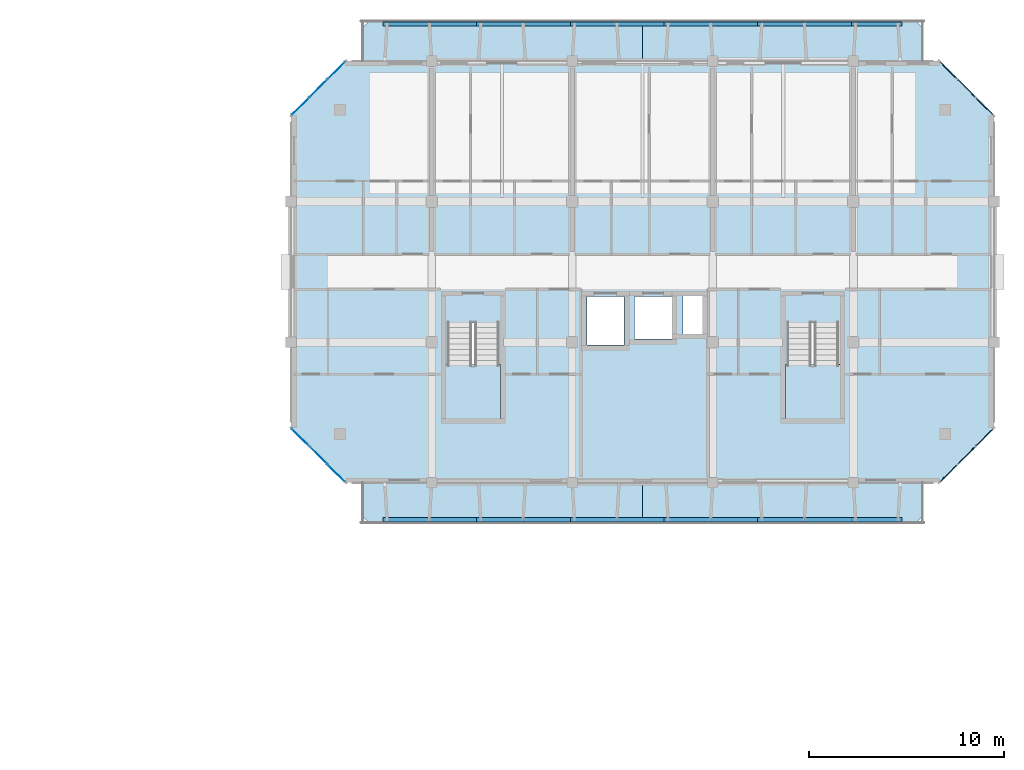
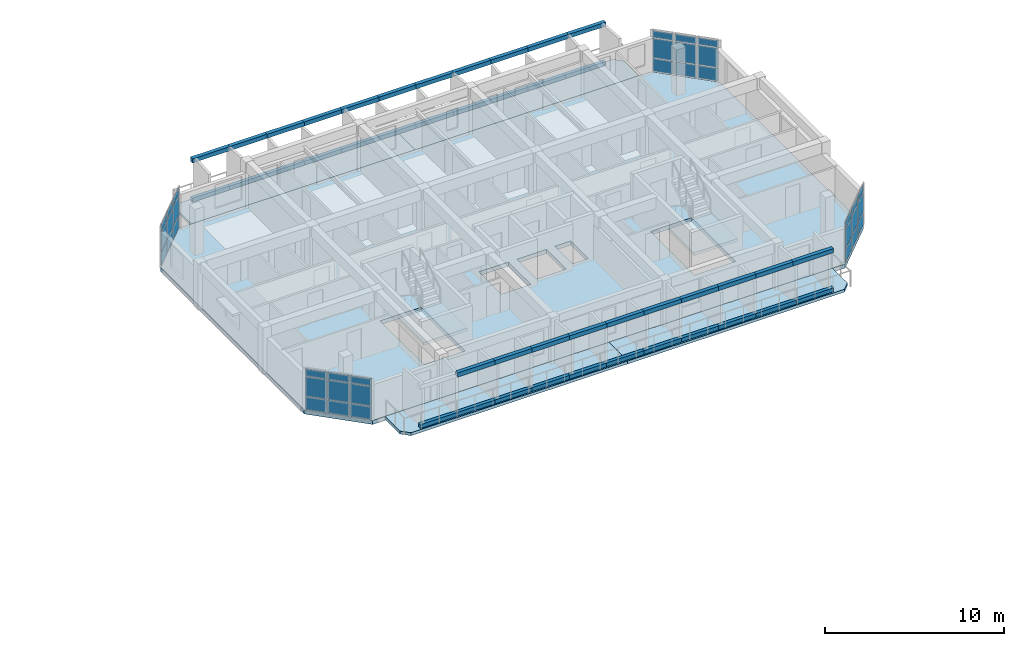
# One storey, part 13 of 43: 79 plates, 7 slabs, 6 elements without a shape of their own.
"""IFC4 building model written with IfcOpenShell, lengths in metres."""

from ifc_helpers import new_model, si_unit, direction, frame, origin, origin_2d, place, context, subcontext, project, spatial, polyline, rectangle, outline, extrude, material, layer, layer_set, type_object, element, aggregate, save


model = new_model("IFC4")

# Units and contexts
model_context = context("Model", 3, precision=1e-05, world=origin(), true_north=direction((0.0, 1.0)))
body_context = subcontext(model_context, "Body", "Model", "MODEL_VIEW")
ifc_project = project(units=[si_unit("LENGTHUNIT", "METRE"), si_unit("AREAUNIT", "SQUARE_METRE"), si_unit("VOLUMEUNIT", "CUBIC_METRE"), si_unit("PLANEANGLEUNIT", "RADIAN"), si_unit("MASSUNIT", "GRAM", prefix="KILO")], contexts=[model_context])

# Site, building, storey
site_placement = place(None, origin())
site = spatial("IfcSite", under=ifc_project, at=site_placement, CompositionType="ELEMENT")
building_placement = place(site_placement, origin())
building = spatial("IfcBuilding", under=site, at=building_placement, Name="Ochrevale Crest", CompositionType="ELEMENT")
storey_placement = place(building_placement, frame((0.0, 0.0, 15.0)))
storey = spatial("IfcBuildingStorey", under=building, at=storey_placement, Name="L04", CompositionType="ELEMENT", Elevation=15.0)

# Curtain wall, plates
ifc_material_1 = material(Name="Anodised aluminium 6063-T5", Category="aluminium")
ifc_layer_1 = layer(ifc_material_1, 0.14990234375)
ifc_layer_set_1 = layer_set([ifc_layer_1], Name="Anodised aluminium 6063-T5")
curtain_wall_type_1 = type_object("IfcCurtainWallType", Name="CW-WG-240x285", PredefinedType="NOTDEFINED", material=ifc_layer_set_1)
curtain_wall_1_placement = place(storey_placement, origin())
curtain_wall_1 = element("IfcCurtainWall", 1, at=curtain_wall_1_placement, inside=storey, type_object=curtain_wall_type_1, Name="Block D L04 chamfered corner wintergarden curtain wall 6", PredefinedType="NOTDEFINED")
ifc_material_2 = material(Name="Double-glazed low-E insulated glass unit", Category="glass")
ifc_layer_2 = layer(ifc_material_2, 0.028076171875)
ifc_layer_set_2 = layer_set([ifc_layer_2], Name="Double-glazed low-E insulated glass unit")
plate_type_1 = type_object("IfcPlateType", Name="CW-PNL-IGU28", PredefinedType="CURTAIN_PANEL", material=ifc_layer_set_2)
plate_1_placement = place(storey_placement, frame((131.920166015625, 93.1201171875, 0.06005859375), z_axis=(0.0, 0.0, 1.0), x_axis=(-0.707106781187, -0.707106781187, 0.0)))
plate_1 = element("IfcPlate", 2, at=plate_1_placement, type_object=plate_type_1, Name="CW15 panel 1.1", PredefinedType="CURTAIN_PANEL", context=body_context, shape_type="SweptSolid", body=[
    extrude(rectangle(XDim=1.20751953125, YDim=0.028076171875, at=origin_2d()), origin(), (0.0, 0.0, 1.0), 0.860107421875),
])
plate_2_placement = place(storey_placement, frame((131.920166015625, 93.1201171875, 0.97998046875), z_axis=(0.0, 0.0, 1.0), x_axis=(-0.707106781187, -0.707106781187, 0.0)))
plate_2 = element("IfcPlate", 3, at=plate_2_placement, type_object=plate_type_1, Name="CW15 panel 1.2", PredefinedType="CURTAIN_PANEL", context=body_context, shape_type="SweptSolid", body=[
    extrude(rectangle(XDim=1.20751953125, YDim=0.028076171875, at=origin_2d()), origin(), (0.0, 0.0, 1.0), 1.31494140625),
])
plate_3_placement = place(storey_placement, frame((131.920166015625, 93.1201171875, 2.35498046875), z_axis=(0.0, 0.0, 1.0), x_axis=(-0.707106781187, -0.707106781187, 0.0)))
plate_3 = element("IfcPlate", 4, at=plate_3_placement, type_object=plate_type_1, Name="CW15 panel 1.3", PredefinedType="CURTAIN_PANEL", context=body_context, shape_type="SweptSolid", body=[
    extrude(rectangle(XDim=1.20751953125, YDim=0.028076171875, at=origin_2d()), origin(), (0.0, 0.0, 1.0), 0.4599609375),
])
plate_4_placement = place(storey_placement, frame((131.0, 92.199951171875, 0.06005859375), z_axis=(0.0, 0.0, 1.0), x_axis=(-0.707106781187, -0.707106781187, 0.0)))
plate_4 = element("IfcPlate", 5, at=plate_4_placement, type_object=plate_type_1, Name="CW15 panel 2.1", PredefinedType="CURTAIN_PANEL", context=body_context, shape_type="SweptSolid", body=[
    extrude(rectangle(XDim=1.244873046875, YDim=0.028076171875, at=origin_2d()), origin(), (0.0, 0.0, 1.0), 0.860107421875),
])
plate_5_placement = place(storey_placement, frame((131.0, 92.199951171875, 0.97998046875), z_axis=(0.0, 0.0, 1.0), x_axis=(-0.707106781187, -0.707106781187, 0.0)))
plate_5 = element("IfcPlate", 6, at=plate_5_placement, type_object=plate_type_1, Name="CW15 panel 2.2", PredefinedType="CURTAIN_PANEL", context=body_context, shape_type="SweptSolid", body=[
    extrude(rectangle(XDim=1.244873046875, YDim=0.028076171875, at=origin_2d()), origin(), (0.0, 0.0, 1.0), 1.31494140625),
])
plate_6_placement = place(storey_placement, frame((131.0, 92.199951171875, 2.35498046875), z_axis=(0.0, 0.0, 1.0), x_axis=(-0.707106781187, -0.707106781187, 0.0)))
plate_6 = element("IfcPlate", 7, at=plate_6_placement, type_object=plate_type_1, Name="CW15 panel 2.3", PredefinedType="CURTAIN_PANEL", context=body_context, shape_type="SweptSolid", body=[
    extrude(rectangle(XDim=1.244873046875, YDim=0.028076171875, at=origin_2d()), origin(), (0.0, 0.0, 1.0), 0.4599609375),
])
plate_7_placement = place(storey_placement, frame((130.079833984375, 91.280029296875, 0.06005859375), z_axis=(0.0, 0.0, 1.0), x_axis=(-0.707106781187, -0.707106781187, 0.0)))
plate_7 = element("IfcPlate", 8, at=plate_7_placement, type_object=plate_type_1, Name="CW15 panel 3.1", PredefinedType="CURTAIN_PANEL", context=body_context, shape_type="SweptSolid", body=[
    extrude(rectangle(XDim=1.20751953125, YDim=0.028076171875, at=origin_2d()), origin(), (0.0, 0.0, 1.0), 0.860107421875),
])
plate_8_placement = place(storey_placement, frame((130.079833984375, 91.280029296875, 0.97998046875), z_axis=(0.0, 0.0, 1.0), x_axis=(-0.707106781187, -0.707106781187, 0.0)))
plate_8 = element("IfcPlate", 9, at=plate_8_placement, type_object=plate_type_1, Name="CW15 panel 3.2", PredefinedType="CURTAIN_PANEL", context=body_context, shape_type="SweptSolid", body=[
    extrude(rectangle(XDim=1.20751953125, YDim=0.028076171875, at=origin_2d()), origin(), (0.0, 0.0, 1.0), 1.31494140625),
])
plate_9_placement = place(storey_placement, frame((130.079833984375, 91.280029296875, 2.35498046875), z_axis=(0.0, 0.0, 1.0), x_axis=(-0.707106781187, -0.707106781187, 0.0)))
plate_9 = element("IfcPlate", 10, at=plate_9_placement, type_object=plate_type_1, Name="CW15 panel 3.3", PredefinedType="CURTAIN_PANEL", context=body_context, shape_type="SweptSolid", body=[
    extrude(rectangle(XDim=1.20751953125, YDim=0.028076171875, at=origin_2d()), origin(), (0.0, 0.0, 1.0), 0.4599609375),
])
aggregate(curtain_wall_1, [plate_1, plate_2, plate_3, plate_4, plate_5, plate_6, plate_7, plate_8, plate_9])

ifc_layer_3 = layer(ifc_material_1, 0.14990234375)
ifc_layer_set_3 = layer_set([ifc_layer_3], Name="Anodised aluminium 6063-T5")
curtain_wall_type_2 = type_object("IfcCurtainWallType", Name="CW-WG-320x285", PredefinedType="NOTDEFINED", material=ifc_layer_set_3)
curtain_wall_2_placement = place(storey_placement, origin())
curtain_wall_2 = element("IfcCurtainWall", 11, at=curtain_wall_2_placement, inside=storey, type_object=curtain_wall_type_2, Name="Block D L04 chamfered corner wintergarden curtain wall 8", PredefinedType="NOTDEFINED")
plate_10_placement = place(storey_placement, frame((130.079833984375, 74.320068359375, 0.06005859375), z_axis=(0.0, 0.0, 1.0), x_axis=(0.707106781187, -0.707106781187, 0.0)))
plate_10 = element("IfcPlate", 12, at=plate_10_placement, type_object=plate_type_1, Name="CW17 panel 1.1", PredefinedType="CURTAIN_PANEL", context=body_context, shape_type="SweptSolid", body=[
    extrude(rectangle(XDim=1.20751953125, YDim=0.028076171875, at=origin_2d()), origin(), (0.0, 0.0, 1.0), 0.860107421875),
])
plate_11_placement = place(storey_placement, frame((130.079833984375, 74.320068359375, 0.97998046875), z_axis=(0.0, 0.0, 1.0), x_axis=(0.707106781187, -0.707106781187, 0.0)))
plate_11 = element("IfcPlate", 13, at=plate_11_placement, type_object=plate_type_1, Name="CW17 panel 1.2", PredefinedType="CURTAIN_PANEL", context=body_context, shape_type="SweptSolid", body=[
    extrude(rectangle(XDim=1.20751953125, YDim=0.028076171875, at=origin_2d()), origin(), (0.0, 0.0, 1.0), 1.31494140625),
])
plate_12_placement = place(storey_placement, frame((130.079833984375, 74.320068359375, 2.35498046875), z_axis=(0.0, 0.0, 1.0), x_axis=(0.707106781187, -0.707106781187, 0.0)))
plate_12 = element("IfcPlate", 14, at=plate_12_placement, type_object=plate_type_1, Name="CW17 panel 1.3", PredefinedType="CURTAIN_PANEL", context=body_context, shape_type="SweptSolid", body=[
    extrude(rectangle(XDim=1.20751953125, YDim=0.028076171875, at=origin_2d()), origin(), (0.0, 0.0, 1.0), 0.4599609375),
])
plate_13_placement = place(storey_placement, frame((131.0, 73.39990234375, 0.06005859375), z_axis=(0.0, 0.0, 1.0), x_axis=(0.707106781187, -0.707106781187, 0.0)))
plate_13 = element("IfcPlate", 15, at=plate_13_placement, type_object=plate_type_1, Name="CW17 panel 2.1", PredefinedType="CURTAIN_PANEL", context=body_context, shape_type="SweptSolid", body=[
    extrude(rectangle(XDim=1.244873046875, YDim=0.028076171875, at=origin_2d()), origin(), (0.0, 0.0, 1.0), 0.860107421875),
])
plate_14_placement = place(storey_placement, frame((131.0, 73.39990234375, 0.97998046875), z_axis=(0.0, 0.0, 1.0), x_axis=(0.707106781187, -0.707106781187, 0.0)))
plate_14 = element("IfcPlate", 16, at=plate_14_placement, type_object=plate_type_1, Name="CW17 panel 2.2", PredefinedType="CURTAIN_PANEL", context=body_context, shape_type="SweptSolid", body=[
    extrude(rectangle(XDim=1.244873046875, YDim=0.028076171875, at=origin_2d()), origin(), (0.0, 0.0, 1.0), 1.31494140625),
])
plate_15_placement = place(storey_placement, frame((131.0, 73.39990234375, 2.35498046875), z_axis=(0.0, 0.0, 1.0), x_axis=(0.707106781187, -0.707106781187, 0.0)))
plate_15 = element("IfcPlate", 17, at=plate_15_placement, type_object=plate_type_1, Name="CW17 panel 2.3", PredefinedType="CURTAIN_PANEL", context=body_context, shape_type="SweptSolid", body=[
    extrude(rectangle(XDim=1.244873046875, YDim=0.028076171875, at=origin_2d()), origin(), (0.0, 0.0, 1.0), 0.4599609375),
])
plate_16_placement = place(storey_placement, frame((131.920166015625, 72.47998046875, 0.06005859375), z_axis=(0.0, 0.0, 1.0), x_axis=(0.707106781187, -0.707106781187, 0.0)))
plate_16 = element("IfcPlate", 18, at=plate_16_placement, type_object=plate_type_1, Name="CW17 panel 3.1", PredefinedType="CURTAIN_PANEL", context=body_context, shape_type="SweptSolid", body=[
    extrude(rectangle(XDim=1.20751953125, YDim=0.028076171875, at=origin_2d()), origin(), (0.0, 0.0, 1.0), 0.860107421875),
])
plate_17_placement = place(storey_placement, frame((131.920166015625, 72.47998046875, 0.97998046875), z_axis=(0.0, 0.0, 1.0), x_axis=(0.707106781187, -0.707106781187, 0.0)))
plate_17 = element("IfcPlate", 19, at=plate_17_placement, type_object=plate_type_1, Name="CW17 panel 3.2", PredefinedType="CURTAIN_PANEL", context=body_context, shape_type="SweptSolid", body=[
    extrude(rectangle(XDim=1.20751953125, YDim=0.028076171875, at=origin_2d()), origin(), (0.0, 0.0, 1.0), 1.31494140625),
])
plate_18_placement = place(storey_placement, frame((131.920166015625, 72.47998046875, 2.35498046875), z_axis=(0.0, 0.0, 1.0), x_axis=(0.707106781187, -0.707106781187, 0.0)))
plate_18 = element("IfcPlate", 20, at=plate_18_placement, type_object=plate_type_1, Name="CW17 panel 3.3", PredefinedType="CURTAIN_PANEL", context=body_context, shape_type="SweptSolid", body=[
    extrude(rectangle(XDim=1.20751953125, YDim=0.028076171875, at=origin_2d()), origin(), (0.0, 0.0, 1.0), 0.4599609375),
])
aggregate(curtain_wall_2, [plate_10, plate_11, plate_12, plate_13, plate_14, plate_15, plate_16, plate_17, plate_18])

ifc_layer_4 = layer(ifc_material_1, 0.14990234375)
ifc_layer_set_4 = layer_set([ifc_layer_4], Name="Anodised aluminium 6063-T5")
curtain_wall_type_3 = type_object("IfcCurtainWallType", Name="CW-WG-280x285", PredefinedType="NOTDEFINED", material=ifc_layer_set_4)
curtain_wall_3_placement = place(storey_placement, origin())
curtain_wall_3 = element("IfcCurtainWall", 21, at=curtain_wall_3_placement, inside=storey, type_object=curtain_wall_type_3, Name="Block D L04 chamfered corner wintergarden curtain wall 2", PredefinedType="NOTDEFINED")
ifc_material_3 = material(Name="Acoustic laminated low-E insulated glass unit", Category="glass")
ifc_layer_5 = layer(ifc_material_3, 0.0380859375)
ifc_layer_set_5 = layer_set([ifc_layer_5], Name="Acoustic laminated low-E insulated glass unit")
plate_type_2 = type_object("IfcPlateType", Name="CW-PNL-IGU38", PredefinedType="CURTAIN_PANEL", material=ifc_layer_set_5)
plate_19_placement = place(storey_placement, frame((163.280029296875, 72.47998046875, 0.06005859375), z_axis=(0.0, 0.0, 1.0), x_axis=(0.707106781187, 0.707106781187, 0.0)))
plate_19 = element("IfcPlate", 22, at=plate_19_placement, type_object=plate_type_2, Name="CW16 panel 1.1", PredefinedType="CURTAIN_PANEL", context=body_context, shape_type="SweptSolid", body=[
    extrude(rectangle(XDim=1.20751953125, YDim=0.0380859375, at=origin_2d()), origin(), (0.0, 0.0, 1.0), 0.860107421875),
])
plate_20_placement = place(storey_placement, frame((163.280029296875, 72.47998046875, 0.97998046875), z_axis=(0.0, 0.0, 1.0), x_axis=(0.707106781187, 0.707106781187, 0.0)))
plate_20 = element("IfcPlate", 23, at=plate_20_placement, type_object=plate_type_2, Name="CW16 panel 1.2", PredefinedType="CURTAIN_PANEL", context=body_context, shape_type="SweptSolid", body=[
    extrude(rectangle(XDim=1.20751953125, YDim=0.0380859375, at=origin_2d()), origin(), (0.0, 0.0, 1.0), 1.31494140625),
])
plate_21_placement = place(storey_placement, frame((163.280029296875, 72.47998046875, 2.35498046875), z_axis=(0.0, 0.0, 1.0), x_axis=(0.707106781187, 0.707106781187, 0.0)))
plate_21 = element("IfcPlate", 24, at=plate_21_placement, type_object=plate_type_2, Name="CW16 panel 1.3", PredefinedType="CURTAIN_PANEL", context=body_context, shape_type="SweptSolid", body=[
    extrude(rectangle(XDim=1.20751953125, YDim=0.0380859375, at=origin_2d()), origin(), (0.0, 0.0, 1.0), 0.4599609375),
])
plate_22_placement = place(storey_placement, frame((164.199951171875, 73.39990234375, 0.06005859375), z_axis=(0.0, 0.0, 1.0), x_axis=(0.707106781187, 0.707106781187, 0.0)))
plate_22 = element("IfcPlate", 25, at=plate_22_placement, type_object=plate_type_2, Name="CW16 panel 2.1", PredefinedType="CURTAIN_PANEL", context=body_context, shape_type="SweptSolid", body=[
    extrude(rectangle(XDim=1.244873046875, YDim=0.0380859375, at=origin_2d()), origin(), (0.0, 0.0, 1.0), 0.860107421875),
])
plate_23_placement = place(storey_placement, frame((164.199951171875, 73.39990234375, 0.97998046875), z_axis=(0.0, 0.0, 1.0), x_axis=(0.707106781187, 0.707106781187, 0.0)))
plate_23 = element("IfcPlate", 26, at=plate_23_placement, type_object=plate_type_2, Name="CW16 panel 2.2", PredefinedType="CURTAIN_PANEL", context=body_context, shape_type="SweptSolid", body=[
    extrude(rectangle(XDim=1.244873046875, YDim=0.0380859375, at=origin_2d()), origin(), (0.0, 0.0, 1.0), 1.31494140625),
])
plate_24_placement = place(storey_placement, frame((164.199951171875, 73.39990234375, 2.35498046875), z_axis=(0.0, 0.0, 1.0), x_axis=(0.707106781187, 0.707106781187, 0.0)))
plate_24 = element("IfcPlate", 27, at=plate_24_placement, type_object=plate_type_2, Name="CW16 panel 2.3", PredefinedType="CURTAIN_PANEL", context=body_context, shape_type="SweptSolid", body=[
    extrude(rectangle(XDim=1.244873046875, YDim=0.0380859375, at=origin_2d()), origin(), (0.0, 0.0, 1.0), 0.4599609375),
])
plate_25_placement = place(storey_placement, frame((165.1201171875, 74.320068359375, 0.06005859375), z_axis=(0.0, 0.0, 1.0), x_axis=(0.707106781187, 0.707106781187, 0.0)))
plate_25 = element("IfcPlate", 28, at=plate_25_placement, type_object=plate_type_2, Name="CW16 panel 3.1", PredefinedType="CURTAIN_PANEL", context=body_context, shape_type="SweptSolid", body=[
    extrude(rectangle(XDim=1.20751953125, YDim=0.0380859375, at=origin_2d()), origin(), (0.0, 0.0, 1.0), 0.860107421875),
])
plate_26_placement = place(storey_placement, frame((165.1201171875, 74.320068359375, 0.97998046875), z_axis=(0.0, 0.0, 1.0), x_axis=(0.707106781187, 0.707106781187, 0.0)))
plate_26 = element("IfcPlate", 29, at=plate_26_placement, type_object=plate_type_2, Name="CW16 panel 3.2", PredefinedType="CURTAIN_PANEL", context=body_context, shape_type="SweptSolid", body=[
    extrude(rectangle(XDim=1.20751953125, YDim=0.0380859375, at=origin_2d()), origin(), (0.0, 0.0, 1.0), 1.31494140625),
])
plate_27_placement = place(storey_placement, frame((165.1201171875, 74.320068359375, 2.35498046875), z_axis=(0.0, 0.0, 1.0), x_axis=(0.707106781187, 0.707106781187, 0.0)))
plate_27 = element("IfcPlate", 30, at=plate_27_placement, type_object=plate_type_2, Name="CW16 panel 3.3", PredefinedType="CURTAIN_PANEL", context=body_context, shape_type="SweptSolid", body=[
    extrude(rectangle(XDim=1.20751953125, YDim=0.0380859375, at=origin_2d()), origin(), (0.0, 0.0, 1.0), 0.4599609375),
])
aggregate(curtain_wall_3, [plate_19, plate_20, plate_21, plate_22, plate_23, plate_24, plate_25, plate_26, plate_27])

ifc_layer_6 = layer(ifc_material_1, 0.14990234375)
ifc_layer_set_6 = layer_set([ifc_layer_6], Name="Anodised aluminium 6063-T5")
curtain_wall_type_4 = type_object("IfcCurtainWallType", Name="CW-WG-360x285", PredefinedType="NOTDEFINED", material=ifc_layer_set_6)
curtain_wall_4_placement = place(storey_placement, origin())
curtain_wall_4 = element("IfcCurtainWall", 31, at=curtain_wall_4_placement, inside=storey, type_object=curtain_wall_type_4, Name="Block D L04 chamfered corner wintergarden curtain wall 4", PredefinedType="NOTDEFINED")
plate_28_placement = place(storey_placement, frame((165.1201171875, 91.280029296875, 0.06005859375), z_axis=(0.0, 0.0, 1.0), x_axis=(-0.707106781187, 0.707106781187, 0.0)))
plate_28 = element("IfcPlate", 32, at=plate_28_placement, type_object=plate_type_2, Name="CW18 panel 1.1", PredefinedType="CURTAIN_PANEL", context=body_context, shape_type="SweptSolid", body=[
    extrude(rectangle(XDim=1.20751953125, YDim=0.0380859375, at=origin_2d()), origin(), (0.0, 0.0, 1.0), 0.860107421875),
])
plate_29_placement = place(storey_placement, frame((165.1201171875, 91.280029296875, 0.97998046875), z_axis=(0.0, 0.0, 1.0), x_axis=(-0.707106781187, 0.707106781187, 0.0)))
plate_29 = element("IfcPlate", 33, at=plate_29_placement, type_object=plate_type_2, Name="CW18 panel 1.2", PredefinedType="CURTAIN_PANEL", context=body_context, shape_type="SweptSolid", body=[
    extrude(rectangle(XDim=1.20751953125, YDim=0.0380859375, at=origin_2d()), origin(), (0.0, 0.0, 1.0), 1.31494140625),
])
plate_30_placement = place(storey_placement, frame((165.1201171875, 91.280029296875, 2.35498046875), z_axis=(0.0, 0.0, 1.0), x_axis=(-0.707106781187, 0.707106781187, 0.0)))
plate_30 = element("IfcPlate", 34, at=plate_30_placement, type_object=plate_type_2, Name="CW18 panel 1.3", PredefinedType="CURTAIN_PANEL", context=body_context, shape_type="SweptSolid", body=[
    extrude(rectangle(XDim=1.20751953125, YDim=0.0380859375, at=origin_2d()), origin(), (0.0, 0.0, 1.0), 0.4599609375),
])
plate_31_placement = place(storey_placement, frame((164.199951171875, 92.199951171875, 0.06005859375), z_axis=(0.0, 0.0, 1.0), x_axis=(-0.707106781187, 0.707106781187, 0.0)))
plate_31 = element("IfcPlate", 35, at=plate_31_placement, type_object=plate_type_2, Name="CW18 panel 2.1", PredefinedType="CURTAIN_PANEL", context=body_context, shape_type="SweptSolid", body=[
    extrude(rectangle(XDim=1.244873046875, YDim=0.0380859375, at=origin_2d()), origin(), (0.0, 0.0, 1.0), 0.860107421875),
])
plate_32_placement = place(storey_placement, frame((164.199951171875, 92.199951171875, 0.97998046875), z_axis=(0.0, 0.0, 1.0), x_axis=(-0.707106781187, 0.707106781187, 0.0)))
plate_32 = element("IfcPlate", 36, at=plate_32_placement, type_object=plate_type_2, Name="CW18 panel 2.2", PredefinedType="CURTAIN_PANEL", context=body_context, shape_type="SweptSolid", body=[
    extrude(rectangle(XDim=1.244873046875, YDim=0.0380859375, at=origin_2d()), origin(), (0.0, 0.0, 1.0), 1.31494140625),
])
plate_33_placement = place(storey_placement, frame((164.199951171875, 92.199951171875, 2.35498046875), z_axis=(0.0, 0.0, 1.0), x_axis=(-0.707106781187, 0.707106781187, 0.0)))
plate_33 = element("IfcPlate", 37, at=plate_33_placement, type_object=plate_type_2, Name="CW18 panel 2.3", PredefinedType="CURTAIN_PANEL", context=body_context, shape_type="SweptSolid", body=[
    extrude(rectangle(XDim=1.244873046875, YDim=0.0380859375, at=origin_2d()), origin(), (0.0, 0.0, 1.0), 0.4599609375),
])
plate_34_placement = place(storey_placement, frame((163.280029296875, 93.1201171875, 0.06005859375), z_axis=(0.0, 0.0, 1.0), x_axis=(-0.707106781187, 0.707106781187, 0.0)))
plate_34 = element("IfcPlate", 38, at=plate_34_placement, type_object=plate_type_2, Name="CW18 panel 3.1", PredefinedType="CURTAIN_PANEL", context=body_context, shape_type="SweptSolid", body=[
    extrude(rectangle(XDim=1.20751953125, YDim=0.0380859375, at=origin_2d()), origin(), (0.0, 0.0, 1.0), 0.860107421875),
])
plate_35_placement = place(storey_placement, frame((163.280029296875, 93.1201171875, 0.97998046875), z_axis=(0.0, 0.0, 1.0), x_axis=(-0.707106781187, 0.707106781187, 0.0)))
plate_35 = element("IfcPlate", 39, at=plate_35_placement, type_object=plate_type_2, Name="CW18 panel 3.2", PredefinedType="CURTAIN_PANEL", context=body_context, shape_type="SweptSolid", body=[
    extrude(rectangle(XDim=1.20751953125, YDim=0.0380859375, at=origin_2d()), origin(), (0.0, 0.0, 1.0), 1.31494140625),
])
plate_36_placement = place(storey_placement, frame((163.280029296875, 93.1201171875, 2.35498046875), z_axis=(0.0, 0.0, 1.0), x_axis=(-0.707106781187, 0.707106781187, 0.0)))
plate_36 = element("IfcPlate", 40, at=plate_36_placement, type_object=plate_type_2, Name="CW18 panel 3.3", PredefinedType="CURTAIN_PANEL", context=body_context, shape_type="SweptSolid", body=[
    extrude(rectangle(XDim=1.20751953125, YDim=0.0380859375, at=origin_2d()), origin(), (0.0, 0.0, 1.0), 0.4599609375),
])
aggregate(curtain_wall_4, [plate_28, plate_29, plate_30, plate_31, plate_32, plate_33, plate_34, plate_35, plate_36])

# Plates
ifc_material_4 = material(Name="Precast concrete C40/50", Category="concrete")
ifc_layer_7 = layer(ifc_material_4, 0.06005859375)
ifc_layer_set_7 = layer_set([ifc_layer_7], Name="Precast concrete C40/50")
plate_type_3 = type_object("IfcPlateType", Name="PLT-HC-HEAD-60", PredefinedType="USERDEFINED", material=ifc_layer_set_7)
for number, where, z_axis, x_axis, name in (
    (41, (138.0, 70.10009765625, 2.669921875), (0.0, 0.0, 1.0), (1.0, 0.0, 0.0), "Block D L04 S honeycomb arched lintel fascia 2"),
    (42, (140.39990234375, 70.10009765625, 2.669921875), (0.0, 0.0, 1.0), (1.0, 0.0, 0.0), "Block D L04 S honeycomb arched lintel fascia 3"),
    (43, (142.800048828125, 70.10009765625, 2.669921875), (0.0, 0.0, 1.0), (1.0, 0.0, 0.0), "Block D L04 S honeycomb arched lintel fascia 4"),
    (44, (145.199951171875, 70.10009765625, 2.669921875), (0.0, 0.0, 1.0), (1.0, 0.0, 0.0), "Block D L04 S honeycomb arched lintel fascia 5"),
    (45, (147.60009765625, 70.10009765625, 2.669921875), (0.0, 0.0, 1.0), (1.0, 0.0, 0.0), "Block D L04 S honeycomb arched lintel fascia 6"),
    (46, (150.0, 70.10009765625, 2.669921875), (0.0, 0.0, 1.0), (1.0, 0.0, 0.0), "Block D L04 S honeycomb arched lintel fascia 7"),
    (47, (152.39990234375, 70.10009765625, 2.669921875), (0.0, 0.0, 1.0), (1.0, 0.0, 0.0), "Block D L04 S honeycomb arched lintel fascia 8"),
    (48, (154.800048828125, 70.10009765625, 2.669921875), (0.0, 0.0, 1.0), (1.0, 0.0, 0.0), "Block D L04 S honeycomb arched lintel fascia 9"),
    (49, (157.199951171875, 70.10009765625, 2.669921875), (0.0, 0.0, 1.0), (1.0, 0.0, 0.0), "Block D L04 S honeycomb arched lintel fascia 10"),
    (50, (159.60009765625, 70.10009765625, 2.669921875), (0.0, 0.0, 1.0), (1.0, 0.0, 0.0), "Block D L04 S honeycomb arched lintel fascia 11"),
    (51, (135.60009765625, 95.5, 2.669921875), (0.0, 0.0, 1.0), (1.0, 0.0, 0.0), "Block D L04 N honeycomb arched lintel fascia 1"),
    (52, (138.0, 95.5, 2.669921875), (0.0, 0.0, 1.0), (1.0, 0.0, 0.0), "Block D L04 N honeycomb arched lintel fascia 2"),
    (53, (140.39990234375, 95.5, 2.669921875), (0.0, 0.0, 1.0), (1.0, 0.0, 0.0), "Block D L04 N honeycomb arched lintel fascia 3"),
    (54, (142.800048828125, 95.5, 2.669921875), (0.0, 0.0, 1.0), (1.0, 0.0, 0.0), "Block D L04 N honeycomb arched lintel fascia 4"),
    (55, (145.199951171875, 95.5, 2.669921875), (0.0, 0.0, 1.0), (1.0, 0.0, 0.0), "Block D L04 N honeycomb arched lintel fascia 5"),
    (56, (147.60009765625, 95.5, 2.669921875), (0.0, 0.0, 1.0), (1.0, 0.0, 0.0), "Block D L04 N honeycomb arched lintel fascia 6"),
    (57, (150.0, 95.5, 2.669921875), (0.0, 0.0, 1.0), (1.0, 0.0, 0.0), "Block D L04 N honeycomb arched lintel fascia 7"),
    (58, (152.39990234375, 95.5, 2.669921875), (0.0, 0.0, 1.0), (1.0, 0.0, 0.0), "Block D L04 N honeycomb arched lintel fascia 8"),
    (59, (154.800048828125, 95.5, 2.669921875), (0.0, 0.0, 1.0), (1.0, 0.0, 0.0), "Block D L04 N honeycomb arched lintel fascia 9"),
    (60, (157.199951171875, 95.5, 2.669921875), (0.0, 0.0, 1.0), (1.0, 0.0, 0.0), "Block D L04 N honeycomb arched lintel fascia 10"),
    (61, (159.60009765625, 95.5, 2.669921875), (0.0, 0.0, 1.0), (1.0, 0.0, 0.0), "Block D L04 N honeycomb arched lintel fascia 11"),
):
    element("IfcPlate", number, at=place(storey_placement, frame(where, z_axis=z_axis, x_axis=x_axis)), inside=storey, type_object=plate_type_3, Name=name, ObjectType="FACADE FASCIA PLATE", PredefinedType="USERDEFINED", context=body_context, shape_type="SweptSolid", body=[
        extrude(rectangle(XDim=2.60009765625, YDim=0.239990234375, at=origin_2d()), origin(), (0.0, 0.0, 1.0), 0.280029296875),
    ])
ifc_layer_8 = layer(ifc_material_4, 0.044921875)
ifc_layer_set_8 = layer_set([ifc_layer_8], Name="Precast concrete C40/50")
plate_type_4 = type_object("IfcPlateType", Name="PLT-HC-SILL-45", PredefinedType="USERDEFINED", material=ifc_layer_set_8)
for number, where, z_axis, x_axis, name in (
    (62, (135.60009765625, 70.10009765625, 0.0), (0.0, 0.0, 1.0), (1.0, 0.0, 0.0), "Block D L04 S honeycomb sill coping plate 1"),
    (63, (138.0, 70.10009765625, 0.0), (0.0, 0.0, 1.0), (1.0, 0.0, 0.0), "Block D L04 S honeycomb sill coping plate 2"),
    (64, (140.39990234375, 70.10009765625, 0.0), (0.0, 0.0, 1.0), (1.0, 0.0, 0.0), "Block D L04 S honeycomb sill coping plate 3"),
    (65, (142.800048828125, 70.10009765625, 0.0), (0.0, 0.0, 1.0), (1.0, 0.0, 0.0), "Block D L04 S honeycomb sill coping plate 4"),
    (66, (145.199951171875, 70.10009765625, 0.0), (0.0, 0.0, 1.0), (1.0, 0.0, 0.0), "Block D L04 S honeycomb sill coping plate 5"),
    (67, (147.60009765625, 70.10009765625, 0.0), (0.0, 0.0, 1.0), (1.0, 0.0, 0.0), "Block D L04 S honeycomb sill coping plate 6"),
    (68, (150.0, 70.10009765625, 0.0), (0.0, 0.0, 1.0), (1.0, 0.0, 0.0), "Block D L04 S honeycomb sill coping plate 7"),
    (69, (152.39990234375, 70.10009765625, 0.0), (0.0, 0.0, 1.0), (1.0, 0.0, 0.0), "Block D L04 S honeycomb sill coping plate 8"),
    (70, (154.800048828125, 70.10009765625, 0.0), (0.0, 0.0, 1.0), (1.0, 0.0, 0.0), "Block D L04 S honeycomb sill coping plate 9"),
    (71, (157.199951171875, 70.10009765625, 0.0), (0.0, 0.0, 1.0), (1.0, 0.0, 0.0), "Block D L04 S honeycomb sill coping plate 10"),
    (72, (159.60009765625, 70.10009765625, 0.0), (0.0, 0.0, 1.0), (1.0, 0.0, 0.0), "Block D L04 S honeycomb sill coping plate 11"),
    (73, (135.60009765625, 95.5, 0.0), (0.0, 0.0, 1.0), (1.0, 0.0, 0.0), "Block D L04 N honeycomb sill coping plate 1"),
    (74, (138.0, 95.5, 0.0), (0.0, 0.0, 1.0), (1.0, 0.0, 0.0), "Block D L04 N honeycomb sill coping plate 2"),
    (75, (140.39990234375, 95.5, 0.0), (0.0, 0.0, 1.0), (1.0, 0.0, 0.0), "Block D L04 N honeycomb sill coping plate 3"),
    (76, (142.800048828125, 95.5, 0.0), (0.0, 0.0, 1.0), (1.0, 0.0, 0.0), "Block D L04 N honeycomb sill coping plate 4"),
    (77, (145.199951171875, 95.5, 0.0), (0.0, 0.0, 1.0), (1.0, 0.0, 0.0), "Block D L04 N honeycomb sill coping plate 5"),
    (78, (147.60009765625, 95.5, 0.0), (0.0, 0.0, 1.0), (1.0, 0.0, 0.0), "Block D L04 N honeycomb sill coping plate 6"),
    (79, (150.0, 95.5, 0.0), (0.0, 0.0, 1.0), (1.0, 0.0, 0.0), "Block D L04 N honeycomb sill coping plate 7"),
    (80, (152.39990234375, 95.5, 0.0), (0.0, 0.0, 1.0), (1.0, 0.0, 0.0), "Block D L04 N honeycomb sill coping plate 8"),
    (81, (154.800048828125, 95.5, 0.0), (0.0, 0.0, 1.0), (1.0, 0.0, 0.0), "Block D L04 N honeycomb sill coping plate 9"),
    (82, (157.199951171875, 95.5, 0.0), (0.0, 0.0, 1.0), (1.0, 0.0, 0.0), "Block D L04 N honeycomb sill coping plate 10"),
    (83, (159.60009765625, 95.5, 0.0), (0.0, 0.0, 1.0), (1.0, 0.0, 0.0), "Block D L04 N honeycomb sill coping plate 11"),
):
    element("IfcPlate", number, at=place(storey_placement, frame(where, z_axis=z_axis, x_axis=x_axis)), inside=storey, type_object=plate_type_4, Name=name, ObjectType="SILL COPING PLATE", PredefinedType="USERDEFINED", context=body_context, shape_type="SweptSolid", body=[
        extrude(rectangle(XDim=2.60009765625, YDim=0.219970703125, at=origin_2d()), origin(), (0.0, 0.0, 1.0), 0.260009765625),
    ])

# Slabs
ifc_layer_9 = layer(ifc_material_4, 0.199951171875)
ifc_layer_set_9 = layer_set([ifc_layer_9], Name="Precast concrete C40/50")
slab_type_1 = type_object("IfcSlabType", Name="SLB-BAL-200", PredefinedType="FLOOR", material=ifc_layer_set_9)
slab_1_placement = place(storey_placement, frame((0.0, 0.0, -0.199951171875)))
element("IfcSlab", 84, at=slab_1_placement, inside=storey, type_object=slab_type_1, Name="Block D L04 S1 precast loggia balcony slab", PredefinedType="FLOOR", context=body_context, shape_type="SweptSolid", body=[
    extrude(outline(polyline([(133.64990234375, 69.89990234375), (147.60009765625, 69.89990234375), (147.60009765625, 72.0), (133.199951171875, 72.0), (133.199951171875, 70.35009765625), (133.64990234375, 69.89990234375)])), origin(), (0.0, 0.0, 1.0), 0.199951171875),
])
slab_2_placement = place(storey_placement, frame((0.0, 0.0, -0.199951171875)))
element("IfcSlab", 85, at=slab_2_placement, inside=storey, type_object=slab_type_1, Name="Block D L04 S2 precast loggia balcony slab", PredefinedType="FLOOR", context=body_context, shape_type="SweptSolid", body=[
    extrude(outline(polyline([(147.60009765625, 69.89990234375), (161.550048828125, 69.89990234375), (162.0, 70.35009765625), (162.0, 72.0), (147.60009765625, 72.0), (147.60009765625, 69.89990234375)])), origin(), (0.0, 0.0, 1.0), 0.199951171875),
])
slab_3_placement = place(storey_placement, frame((0.0, 0.0, -0.199951171875)))
element("IfcSlab", 86, at=slab_3_placement, inside=storey, type_object=slab_type_1, Name="Block D L04 N1 precast loggia balcony slab", PredefinedType="FLOOR", context=body_context, shape_type="SweptSolid", body=[
    extrude(outline(polyline([(133.199951171875, 93.60009765625), (147.60009765625, 93.60009765625), (147.60009765625, 95.699951171875), (133.64990234375, 95.699951171875), (133.199951171875, 95.25), (133.199951171875, 93.60009765625)])), origin(), (0.0, 0.0, 1.0), 0.199951171875),
])
slab_4_placement = place(storey_placement, frame((0.0, 0.0, -0.199951171875)))
element("IfcSlab", 87, at=slab_4_placement, inside=storey, type_object=slab_type_1, Name="Block D L04 N2 precast loggia balcony slab", PredefinedType="FLOOR", context=body_context, shape_type="SweptSolid", body=[
    extrude(outline(polyline([(147.60009765625, 93.60009765625), (162.0, 93.60009765625), (162.0, 95.25), (161.550048828125, 95.699951171875), (147.60009765625, 95.699951171875), (147.60009765625, 93.60009765625)])), origin(), (0.0, 0.0, 1.0), 0.199951171875),
])
ifc_layer_10 = layer(ifc_material_4, 0.27490234375)
ifc_layer_set_10 = layer_set([ifc_layer_10], Name="Precast concrete C40/50")
slab_type_2 = type_object("IfcSlabType", Name="SLB-RES-275", PredefinedType="FLOOR", material=ifc_layer_set_10)
slab_5_placement = place(storey_placement, frame((0.0, 0.0, -0.27490234375)))
element("IfcSlab", 88, at=slab_5_placement, inside=storey, type_object=slab_type_2, Name="Block D L04 composite hollowcore floor slab", PredefinedType="FLOOR", context=body_context, shape_type="SweptSolid", body=[
    extrude(outline(polyline([(132.39990234375, 72.0), (162.800048828125, 72.0), (165.60009765625, 74.800048828125), (165.60009765625, 90.800048828125), (162.800048828125, 93.60009765625), (132.39990234375, 93.60009765625), (129.60009765625, 90.800048828125), (129.60009765625, 74.800048828125), (132.39990234375, 72.0)]), holes=[polyline([(137.60009765625, 80.175048828125), (137.60009765625, 75.27490234375), (140.25, 75.27490234375), (140.25, 80.175048828125), (137.60009765625, 80.175048828125)]), polyline([(155.0, 80.175048828125), (155.0, 75.27490234375), (157.64990234375, 75.27490234375), (157.64990234375, 80.175048828125), (155.0, 80.175048828125)]), polyline([(144.75, 79.050048828125), (146.64990234375, 79.050048828125), (146.64990234375, 81.550048828125), (144.75, 81.550048828125), (144.75, 79.050048828125)]), polyline([(147.199951171875, 79.35009765625), (149.10009765625, 79.35009765625), (149.10009765625, 81.550048828125), (147.199951171875, 81.550048828125), (147.199951171875, 79.35009765625)]), polyline([(149.669921875, 79.6201171875), (150.679931640625, 79.6201171875), (150.679931640625, 81.580078125), (149.669921875, 81.580078125), (149.669921875, 79.6201171875)])]), origin(), (0.0, 0.0, 1.0), 0.27490234375),
])

# Stair, slab
stair_type = type_object("IfcStairType", Name="ST-CORE-DOG", PredefinedType="HALF_TURN_STAIR", material=ifc_material_4)
stair_1_placement = place(storey_placement, origin())
stair_1 = element("IfcStair", 89, at=stair_1_placement, inside=storey, type_object=stair_type, Name="L04 Block D Fire Stair 1", PredefinedType="HALF_TURN_STAIR")
ifc_layer_11 = layer(ifc_material_4, 0.199951171875)
ifc_layer_set_11 = layer_set([ifc_layer_11], Name="Precast concrete C40/50")
slab_type_3 = type_object("IfcSlabType", Name="SLB-ST-LAND", PredefinedType="LANDING", material=ifc_layer_set_11)
slab_6_placement = place(storey_placement, frame((0.0, 0.0, 1.375)))
slab_6 = element("IfcSlab", 90, at=slab_6_placement, type_object=slab_type_3, Name="ST-D1 landing 1", PredefinedType="LANDING", context=body_context, shape_type="SweptSolid", body=[
    extrude(outline(polyline([(137.52001953125, 78.06494140625), (137.52001953125, 75.195068359375), (140.330078125, 75.195068359375), (140.330078125, 78.06494140625), (137.52001953125, 78.06494140625)])), origin(), (0.0, 0.0, 1.0), 0.199951171875),
])
aggregate(stair_1, [slab_6])

stair_2_placement = place(storey_placement, origin())
stair_2 = element("IfcStair", 91, at=stair_2_placement, inside=storey, type_object=stair_type, Name="L04 Block D Fire Stair 2", PredefinedType="HALF_TURN_STAIR")
slab_7_placement = place(storey_placement, frame((0.0, 0.0, 1.375)))
slab_7 = element("IfcSlab", 92, at=slab_7_placement, type_object=slab_type_3, Name="ST-D2 landing 1", PredefinedType="LANDING", context=body_context, shape_type="SweptSolid", body=[
    extrude(outline(polyline([(154.919921875, 78.06494140625), (154.919921875, 75.195068359375), (157.72998046875, 75.195068359375), (157.72998046875, 78.06494140625), (154.919921875, 78.06494140625)])), origin(), (0.0, 0.0, 1.0), 0.199951171875),
])
aggregate(stair_2, [slab_7])

save(model, "model.ifc")
